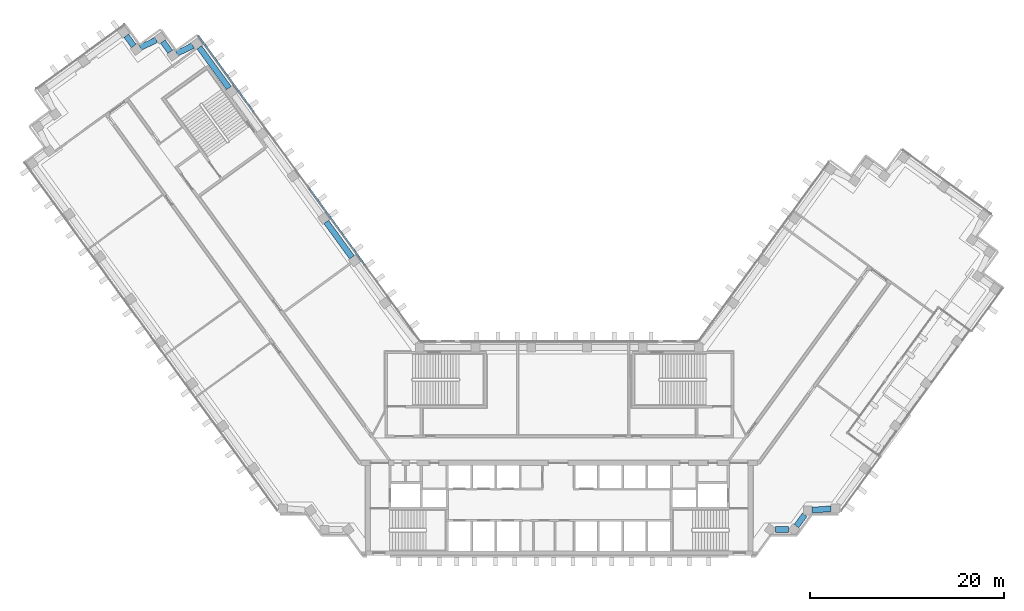
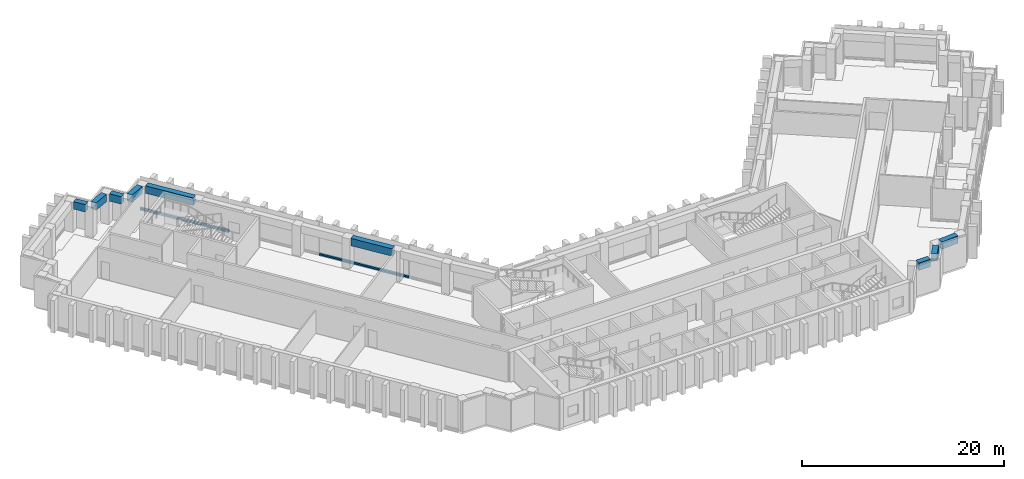
"""IFC4 building model written with IfcOpenShell, lengths in metres."""

from ifc_helpers import new_model, si_unit, direction, frame, origin, origin_2d, place, context, subcontext, project, spatial, rectangle, extrude, material, material_profile, profile_set, type_object, element, aggregate, save


model = new_model("IFC4")

# Units and contexts
model_context = context("Model", 3, precision=1e-05, world=origin(), true_north=direction((0.0, 1.0)))
body_context = subcontext(model_context, "Body", "Model", "MODEL_VIEW")
ifc_project = project(units=[si_unit("LENGTHUNIT", "METRE"), si_unit("AREAUNIT", "SQUARE_METRE"), si_unit("VOLUMEUNIT", "CUBIC_METRE"), si_unit("PLANEANGLEUNIT", "RADIAN"), si_unit("MASSUNIT", "GRAM", prefix="KILO")], contexts=[model_context])

# Site, building, storey
site_placement = place(None, origin())
site = spatial("IfcSite", under=ifc_project, at=site_placement, CompositionType="ELEMENT")
building_placement = place(site_placement, origin())
building = spatial("IfcBuilding", under=site, at=building_placement, Name="Quipu Civic Tower", CompositionType="ELEMENT")
storey_1_placement = place(building_placement, frame((0.0, 0.0, 97.0)))
storey_1 = spatial("IfcBuildingStorey", under=building, at=storey_1_placement, Name="L22", CompositionType="ELEMENT", Elevation=97.0)

# Beams
ifc_material_1 = material(Name="Concrete C50/60", Category="concrete")
ifc_material_profile_1 = material_profile(ifc_material_1, rectangle(XDim=0.60009765625, YDim=0.89990234375, at=origin_2d()), Name="RC600x900")
ifc_profile_set_1 = profile_set([ifc_material_profile_1], Name="Concrete C50/60")
beam_type = type_object("IfcBeamType", Name="Spandrel beam RC 600x900 C50/60", PredefinedType="SPANDREL", material=ifc_profile_set_1)
beam_1_placement = place(storey_1_placement, frame((-21.411865234375, 19.807861328125, 3.199951171875), z_axis=(-0.587778073121, 0.809022210299, 0.0), x_axis=(-0.809022210299, -0.587778073121, 0.0)))
element("IfcBeam", 1, at=beam_1_placement, inside=storey_1, type_object=beam_type, Name="Spandrel beam L22 W-IN-02 to W-IN-03", PredefinedType="SPANDREL", context=body_context, shape_type="SweptSolid", body=[
    extrude(rectangle(XDim=0.60009765625, YDim=0.89990234375, at=origin_2d()), origin(), (0.0, 0.0, 1.0), 4.5),
])
beam_2_placement = place(storey_1_placement, frame((-34.107421875, 37.283203125, 3.199951171875), z_axis=(-0.587732861365, 0.80905505602, 0.0), x_axis=(-0.80905505602, -0.587732861365, 0.0)))
element("IfcBeam", 2, at=beam_2_placement, inside=storey_1, type_object=beam_type, Name="Spandrel beam L22 W-IN-06 to T-Wi.0-W50", PredefinedType="SPANDREL", context=body_context, shape_type="SweptSolid", body=[
    extrude(rectangle(XDim=0.60009765625, YDim=0.89990234375, at=origin_2d()), origin(), (0.0, 0.0, 1.0), 5.194580078125),
])
beam_3_placement = place(storey_1_placement, frame((-37.837890625, 41.65283203125, 3.199951171875), z_axis=(-0.90245397739, -0.430786279601, 0.0), x_axis=(0.430786279601, -0.90245397739, 0.0)))
element("IfcBeam", 3, at=beam_3_placement, inside=storey_1, type_object=beam_type, Name="Spandrel beam L22 T-Wi.0-W50 to T-Wi.1-W50", PredefinedType="SPANDREL", context=body_context, shape_type="SweptSolid", body=[
    extrude(rectangle(XDim=0.60009765625, YDim=0.89990234375, at=origin_2d()), origin(), (0.0, 0.0, 1.0), 1.83349609375),
])
beam_4_placement = place(storey_1_placement, frame((-40.170166015625, 41.02978515625, 3.199951171875), z_axis=(-0.588461937499, 0.808524921146, 0.0), x_axis=(-0.808524921146, -0.588461937499, 0.0)))
element("IfcBeam", 4, at=beam_4_placement, inside=storey_1, type_object=beam_type, Name="Spandrel beam L22 T-Wi.1-W50 to T-Wi.2-W50", PredefinedType="SPANDREL", context=body_context, shape_type="SweptSolid", body=[
    extrude(rectangle(XDim=0.60009765625, YDim=0.89990234375, at=origin_2d()), origin(), (0.0, 0.0, 1.0), 1.30029296875),
])
beam_5_placement = place(storey_1_placement, frame((-41.613037109375, 42.248046875, 3.199951171875), z_axis=(-0.902613270121, -0.430452418511, 0.0), x_axis=(0.430452418511, -0.902613270121, 0.0)))
element("IfcBeam", 5, at=beam_5_placement, inside=storey_1, type_object=beam_type, Name="Spandrel beam L22 T-Wi.2-W50 to T-Wi.3-W50", PredefinedType="SPANDREL", context=body_context, shape_type="SweptSolid", body=[
    extrude(rectangle(XDim=0.60009765625, YDim=0.89990234375, at=origin_2d()), origin(), (0.0, 0.0, 1.0), 1.826416015625),
])
beam_6_placement = place(storey_1_placement, frame((-43.939453125, 41.628662109375, 3.199951171875), z_axis=(-0.588383572423, 0.808581951136, 0.0), x_axis=(-0.808581951136, -0.588383572423, 0.0)))
element("IfcBeam", 6, at=beam_6_placement, inside=storey_1, type_object=beam_type, Name="Spandrel beam L22 T-Wi.3-W50 to T-Wi.4-W50", PredefinedType="SPANDREL", context=body_context, shape_type="SweptSolid", body=[
    extrude(rectangle(XDim=0.60009765625, YDim=0.89990234375, at=origin_2d()), origin(), (0.0, 0.0, 1.0), 1.3017578125),
])
beam_7_placement = place(storey_1_placement, frame((22.34814453125, -8.31494140625, 3.199951171875), z_axis=(1.0, 0.0, 0.0), x_axis=(0.0, 1.0, 0.0)))
element("IfcBeam", 7, at=beam_7_placement, inside=storey_1, type_object=beam_type, Name="Spandrel beam L22 J-Eo.1 to J-Eo.2", PredefinedType="SPANDREL", context=body_context, shape_type="SweptSolid", body=[
    extrude(rectangle(XDim=0.60009765625, YDim=0.89990234375, at=origin_2d()), origin(), (0.0, 0.0, 1.0), 1.33056640625),
])
beam_8_placement = place(storey_1_placement, frame((24.499755859375, -7.951171875, 3.199951171875), z_axis=(0.588433824377, 0.808545381738, 0.0), x_axis=(-0.808545381738, 0.588433824377, 0.0)))
element("IfcBeam", 8, at=beam_8_placement, inside=storey_1, type_object=beam_type, Name="Spandrel beam L22 J-Eo.2 to J-Eo.3", PredefinedType="SPANDREL", context=body_context, shape_type="SweptSolid", body=[
    extrude(rectangle(XDim=0.60009765625, YDim=0.89990234375, at=origin_2d()), origin(), (0.0, 0.0, 1.0), 1.439697265625),
])
beam_9_placement = place(storey_1_placement, frame((26.12451171875, -6.304443359375, 3.199951171875), z_axis=(0.997365981169, 0.072533437859, 0.0), x_axis=(-0.072533437859, 0.997365981169, 0.0)))
element("IfcBeam", 9, at=beam_9_placement, inside=storey_1, type_object=beam_type, Name="Spandrel beam L22 J-Eo.3 to J-Eo.4", PredefinedType="SPANDREL", context=body_context, shape_type="SweptSolid", body=[
    extrude(rectangle(XDim=0.60009765625, YDim=0.89990234375, at=origin_2d()), origin(), (0.0, 0.0, 1.0), 1.95556640625),
])

# Storey
storey_2_placement = place(building_placement, frame((0.0, 0.0, 89.0)))
storey_2 = spatial("IfcBuildingStorey", under=building, at=storey_2_placement, Name="L20", CompositionType="ELEMENT", Elevation=89.0)

# Curtain wall, members
ifc_material_2 = material(Name="Insulated glass unit", Category="glass")
curtain_wall_type = type_object("IfcCurtainWallType", Name="Office curtain wall CW1", PredefinedType="NOTDEFINED", material=ifc_material_2)
curtain_wall_1_placement = place(storey_2_placement, origin())
curtain_wall_1 = element("IfcCurtainWall", 10, at=curtain_wall_1_placement, inside=storey_2, type_object=curtain_wall_type, Name="Office curtain wall CW1 L19 run 17", PredefinedType="NOTDEFINED")
ifc_material_3 = material(Name="Anodised aluminium", Category="aluminium")
ifc_material_profile_2 = material_profile(ifc_material_3, rectangle(XDim=0.199951171875, YDim=0.159912109375, at=origin_2d()), Name="RECT 200x160")
ifc_profile_set_2 = profile_set([ifc_material_profile_2], Name="Anodised aluminium")
member_type = type_object("IfcMemberType", Name="Transom CW1", PredefinedType="USERDEFINED", material=ifc_profile_set_2)
member_1_placement = place(storey_1_placement, frame((-20.105224609375, 19.029296875, 0.0), z_axis=(-0.587793764301, 0.80901080997, 0.0), x_axis=(-0.80901080997, -0.587793764301, 0.0)))
member_1 = element("IfcMember", 11, at=member_1_placement, inside=storey_1, type_object=member_type, Name="CW1 transom 2.4", ObjectType="TRANSOM", PredefinedType="USERDEFINED", context=body_context, shape_type="SweptSolid", body=[
    extrude(rectangle(XDim=0.199951171875, YDim=0.159912109375, at=origin_2d()), origin(), (0.0, 0.0, 1.0), 9.680908203125),
])
member_2_placement = place(storey_1_placement, frame((-31.580078125, 34.822998046875, 0.0), z_axis=(-0.587775627857, 0.809023986849, 0.0), x_axis=(-0.809023986849, -0.587775627857, 0.0)))
member_2 = element("IfcMember", 12, at=member_2_placement, inside=storey_1, type_object=member_type, Name="CW1 transom 4.4", ObjectType="TRANSOM", PredefinedType="USERDEFINED", context=body_context, shape_type="SweptSolid", body=[
    extrude(rectangle(XDim=0.199951171875, YDim=0.159912109375, at=origin_2d()), origin(), (0.0, 0.0, 1.0), 9.64111328125),
])
aggregate(curtain_wall_1, [member_1, member_2])

# Storey
storey_3_placement = place(building_placement, frame((0.0, 0.0, 101.0)))
storey_3 = spatial("IfcBuildingStorey", under=building, at=storey_3_placement, Name="L23", CompositionType="ELEMENT", Elevation=101.0)

# Curtain wall, members
curtain_wall_2_placement = place(storey_3_placement, origin())
curtain_wall_2 = element("IfcCurtainWall", 13, at=curtain_wall_2_placement, inside=storey_3, type_object=curtain_wall_type, Name="Office curtain wall CW1 L22 run 10", PredefinedType="NOTDEFINED")
member_3_placement = place(storey_1_placement, frame((-20.105224609375, 19.029296875, 0.159912109375), z_axis=(-0.587793764301, 0.80901080997, 0.0), x_axis=(-0.80901080997, -0.587793764301, 0.0)))
member_3 = element("IfcMember", 14, at=member_3_placement, inside=storey_1, type_object=member_type, Name="CW1 transom 2.1", ObjectType="TRANSOM", PredefinedType="USERDEFINED", context=body_context, shape_type="SweptSolid", body=[
    extrude(rectangle(XDim=0.199951171875, YDim=0.159912109375, at=origin_2d()), origin(), (0.0, 0.0, 1.0), 9.680908203125),
])
member_4_placement = place(storey_1_placement, frame((-31.580078125, 34.822998046875, 0.159912109375), z_axis=(-0.587775627857, 0.809023986849, 0.0), x_axis=(-0.809023986849, -0.587775627857, 0.0)))
member_4 = element("IfcMember", 15, at=member_4_placement, inside=storey_1, type_object=member_type, Name="CW1 transom 4.1", ObjectType="TRANSOM", PredefinedType="USERDEFINED", context=body_context, shape_type="SweptSolid", body=[
    extrude(rectangle(XDim=0.199951171875, YDim=0.159912109375, at=origin_2d()), origin(), (0.0, 0.0, 1.0), 9.64111328125),
])
aggregate(curtain_wall_2, [member_3, member_4])

save(model, "model.ifc")
